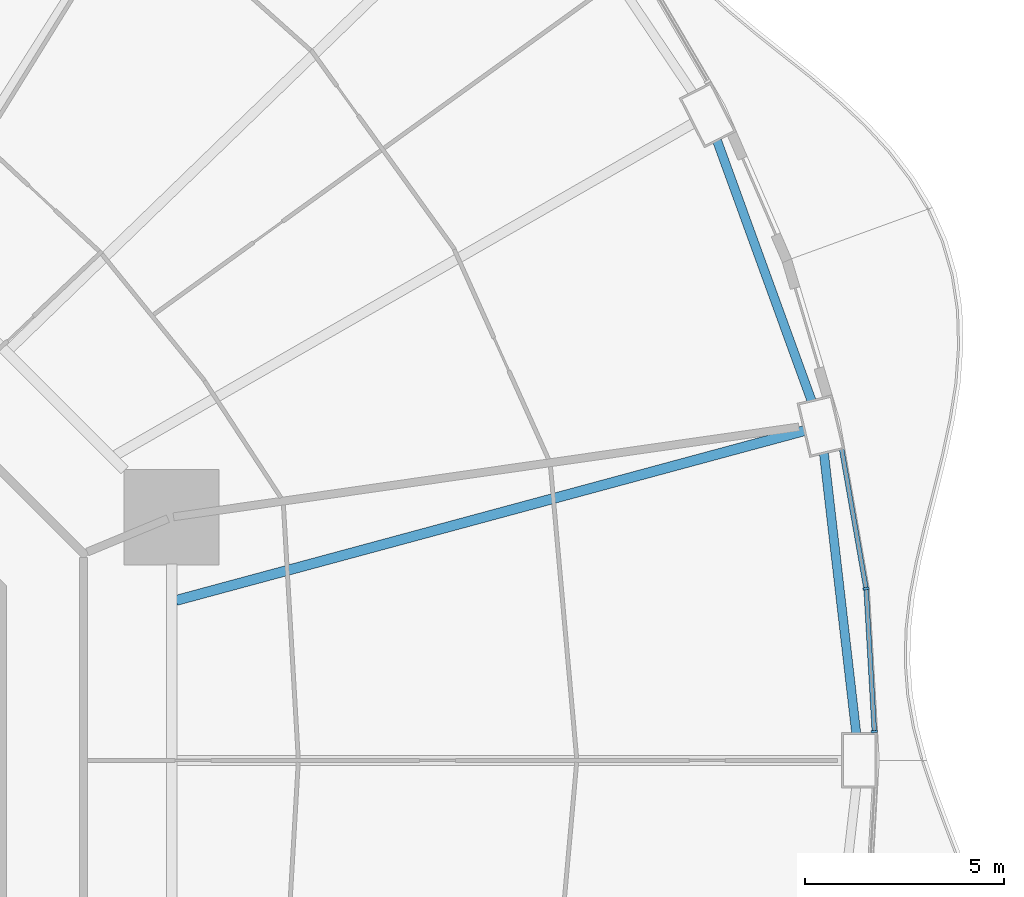
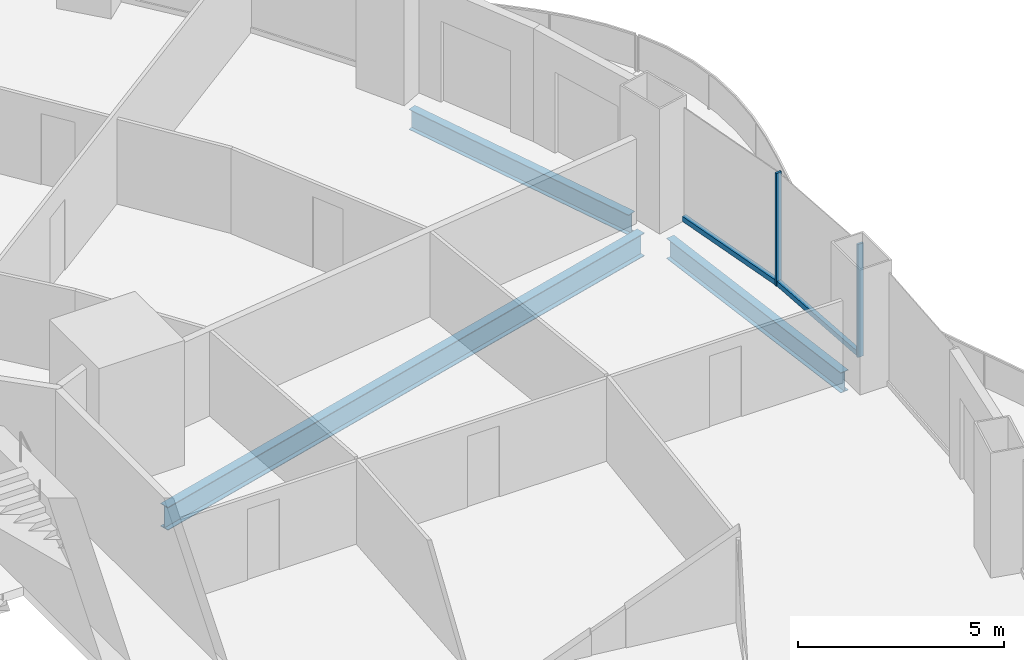
# One storey, part 9 of 22: 4 members, 3 beams, 2 elements without a shape of their own.
"""IFC4 building model written with IfcOpenShell, lengths in metres."""

import ifcopenshell
import ifcopenshell.guid

model = None  # the IFC model being written
_history = None  # IfcOwnerHistory: only IFC2X3 demands one
_inside = {}  # id of a spatial element -> (the spatial element, [elements in it])
_under = {}  # id of a project, library or spatial element -> (it, [spatial elements below it])
_declared = {}  # id of a project -> (the project, [libraries it declares])
_typed = {}  # id of a type object -> (the type object, [elements of that type])
_made_of = {}  # id of a material, layer set ... -> (it, [elements and type objects made of it])


def new_model(schema):
    """Start an empty IFC model of exactly this schema.

    Asked for "IFC4X3", IfcOpenShell would pick the latest addendum, in which some entities
    have other attributes; the version numbers below select the first issue.
    IFC2X3 requires an IfcOwnerHistory on every rooted entity: one is made here for all.
    """
    global model, _history
    if schema == "IFC4X3":
        model = ifcopenshell.file(schema_version=(4, 3, 0, 0))
    else:
        model = ifcopenshell.file(schema=schema)
    _inside.clear()
    _under.clear()
    _declared.clear()
    _typed.clear()
    _made_of.clear()
    _history = None
    if model.schema == "IFC2X3":
        org = make("IfcOrganization", Name="unknown")
        user = make(
            "IfcPersonAndOrganization",
            ThePerson=make("IfcPerson", FamilyName="unknown"),
            TheOrganization=org,
        )
        app = make(
            "IfcApplication",
            ApplicationDeveloper=org,
            Version="unknown",
            ApplicationFullName="unknown",
            ApplicationIdentifier="unknown",
        )
        _history = make(
            "IfcOwnerHistory",
            OwningUser=user,
            OwningApplication=app,
            ChangeAction="ADDED",
            CreationDate=0,
        )
    return model


def make(cls, **values):
    """One entity of the class cls with the attributes given. An attribute that is None is left unset."""
    return model.create_entity(
        cls, **{name: value for name, value in values.items() if value is not None}
    )


def rooted(cls, **values):
    """An entity with a GlobalId (a new one), such as an element, a storey or a relation."""
    return make(cls, GlobalId=ifcopenshell.guid.new(), OwnerHistory=_history, **values)


def si_unit(unit_type, name, prefix=None):
    """IfcSIUnit, for example si_unit("LENGTHUNIT", "METRE", prefix="MILLI")."""
    return make("IfcSIUnit", UnitType=unit_type, Prefix=prefix, Name=name)


def assignment(units):
    """IfcUnitAssignment: the units of a project."""
    return None if units is None else make("IfcUnitAssignment", Units=units)


def point(xyz):
    """IfcCartesianPoint."""
    return None if xyz is None else make("IfcCartesianPoint", Coordinates=xyz)


def direction(xyz):
    """IfcDirection."""
    return None if xyz is None else make("IfcDirection", DirectionRatios=xyz)


def frame(location, z_axis=None, x_axis=None):
    """IfcAxis2Placement3D, a coordinate frame: its origin and axes. An axis left out is left unset."""
    return make(
        "IfcAxis2Placement3D",
        Location=point(location),
        Axis=direction(z_axis),
        RefDirection=direction(x_axis),
    )


def frame_2d(location, x_axis=None):
    """IfcAxis2Placement2D, a coordinate frame in the plane: its origin and x axis."""
    return make(
        "IfcAxis2Placement2D", Location=point(location), RefDirection=direction(x_axis)
    )


def origin():
    """The frame at (0, 0, 0) with its axes left unset."""
    return frame((0.0, 0.0, 0.0))


def origin_2d():
    """The frame at (0, 0) in the plane with its x axis left unset."""
    return frame_2d((0.0, 0.0))


def place(relative_to, where):
    """IfcLocalPlacement: puts the frame where relative to a parent placement (None: the world)."""
    return make(
        "IfcLocalPlacement", PlacementRelTo=relative_to, RelativePlacement=where
    )


def context(
    kind, dimensions, precision=None, world=None, true_north=None, identifier=None
):
    """IfcGeometricRepresentationContext, for example the 3D "Model" context."""
    return make(
        "IfcGeometricRepresentationContext",
        ContextIdentifier=identifier,
        ContextType=kind,
        CoordinateSpaceDimension=dimensions,
        Precision=precision,
        WorldCoordinateSystem=world,
        TrueNorth=true_north,
    )


def subcontext(parent, identifier, kind, view, scale=None):
    """IfcGeometricRepresentationSubContext, for example "Body" below "Model"."""
    return make(
        "IfcGeometricRepresentationSubContext",
        ContextIdentifier=identifier,
        ContextType=kind,
        ParentContext=parent,
        TargetScale=scale,
        TargetView=view,
    )


def project(units=None, contexts=None):
    """IfcProject with its units and contexts."""
    return rooted(
        "IfcProject",
        Name="project",
        RepresentationContexts=contexts,
        UnitsInContext=assignment(units),
    )


def spatial(cls, under=None, at=None, **own):
    """A site, building, storey or space (cls), placed at a placement, below another one or the project."""
    s = rooted(cls, ObjectPlacement=at, **own)
    if under is not None:
        _under.setdefault(under.id(), (under, []))[1].append(s)
    return s


def profile(cls, at=None, kind="AREA", **sizes):
    """A parametric profile (cls). Its sizes go by their IFC names, for example OverallWidth=200.0."""
    return make(cls, ProfileType=kind, Position=at, **sizes)


def rectangle(**sizes):
    """IfcRectangleProfileDef."""
    return profile("IfcRectangleProfileDef", **sizes)


def i_section(**sizes):
    """IfcIShapeProfileDef."""
    return profile("IfcIShapeProfileDef", **sizes)


def extrude(swept, where, along, depth):
    """IfcExtrudedAreaSolid: the profile swept, set in the frame where, extruded along a direction by depth."""
    return make(
        "IfcExtrudedAreaSolid",
        SweptArea=swept,
        Position=where,
        ExtrudedDirection=direction(along),
        Depth=depth,
    )


def shape(context_of_items, identifier, shape_type, items):
    """IfcShapeRepresentation: the items that make up one representation, for example the "Body"."""
    return make(
        "IfcShapeRepresentation",
        ContextOfItems=context_of_items,
        RepresentationIdentifier=identifier,
        RepresentationType=shape_type,
        Items=items,
    )


def material(Name=None, Category=None):
    """IfcMaterial."""
    return make("IfcMaterial", Name=Name, Category=Category)


def layer(
    of_material, thickness, ventilated=None, Name=None, Category=None, Priority=None
):
    """IfcMaterialLayer: one layer of a wall or slab, of a material (None: an air gap)."""
    return make(
        "IfcMaterialLayer",
        Material=of_material,
        LayerThickness=thickness,
        IsVentilated=ventilated,
        Name=Name,
        Category=Category,
        Priority=Priority,
    )


def layer_set(layers, Name=None):
    """IfcMaterialLayerSet."""
    return make("IfcMaterialLayerSet", MaterialLayers=layers, LayerSetName=Name)


def material_profile(
    of_material, cross_section, Name=None, Category=None, Priority=None
):
    """IfcMaterialProfile: a cross section and its material."""
    return make(
        "IfcMaterialProfile",
        Name=Name,
        Material=of_material,
        Profile=cross_section,
        Priority=Priority,
        Category=Category,
    )


def profile_set(profiles, Name=None, composite=None):
    """IfcMaterialProfileSet."""
    return make(
        "IfcMaterialProfileSet",
        Name=Name,
        MaterialProfiles=profiles,
        CompositeProfile=composite,
    )


def made_of(thing, what):
    """Note that an element or type object is made of a material, layer set ...; save() writes the relation."""
    if what is not None:
        _made_of.setdefault(what.id(), (what, []))[1].append(thing)
    return thing


def type_object(cls, material=None, **own):
    """A type object (cls), such as IfcWallType, which elements share."""
    return made_of(rooted(cls, **own), material)


def element(
    cls,
    number,
    at=None,
    inside=None,
    cuts=None,
    type_object=None,
    material=None,
    context=None,
    identifier="Body",
    shape_type=None,
    held_by="IfcProductDefinitionShape",
    body=None,
    shapes=None,
    **own,
):
    """One element of the class cls, such as IfcWall. Its Tag is "e" and its number.

    at: its placement. inside: the storey or other place that contains it. cuts: it is an
    opening in that element (IfcRelVoidsElement). A single representation is given by context,
    identifier, shape_type and body (its items); several are given by shapes. held_by: the class
    of the entity that holds the representations. save() writes the other relations.
    """
    e = rooted(cls, Tag="e%d" % number, ObjectPlacement=at, **own)
    if body is not None:
        shapes = [shape(context, identifier, shape_type, body)]
    if shapes is not None:
        e.Representation = make(held_by, Representations=shapes)
    if inside is not None:
        _inside.setdefault(inside.id(), (inside, []))[1].append(e)
    if cuts is not None:
        rooted(
            "IfcRelVoidsElement", RelatingBuildingElement=cuts, RelatedOpeningElement=e
        )
    if type_object is not None:
        _typed.setdefault(type_object.id(), (type_object, []))[1].append(e)
    return made_of(e, material)


def aggregate(whole, parts):
    """IfcRelAggregates: a whole, such as a stair, and the parts it consists of."""
    return rooted("IfcRelAggregates", RelatingObject=whole, RelatedObjects=parts)


def save(model, path):
    """Write the relations noted so far, then the file.

    IfcRelAggregates (storeys below a building ...), IfcRelContainedInSpatialStructure (elements
    in a storey), IfcRelDefinesByType, IfcRelAssociatesMaterial and IfcRelDeclares: one each for
    every whole, place, type object, material and project.
    """
    for whole, parts in _under.values():
        aggregate(whole, parts)
    for where, things in _inside.values():
        rooted(
            "IfcRelContainedInSpatialStructure",
            RelatedElements=things,
            RelatingStructure=where,
        )
    for kind, things in _typed.values():
        rooted("IfcRelDefinesByType", RelatedObjects=things, RelatingType=kind)
    for what, things in _made_of.values():
        rooted("IfcRelAssociatesMaterial", RelatedObjects=things, RelatingMaterial=what)
    for by, libraries in _declared.values():
        rooted("IfcRelDeclares", RelatingContext=by, RelatedDefinitions=libraries)
    model.write(path)


model = new_model("IFC4")

# Units and contexts
model_context = context("Model", 3, precision=1e-05, world=origin(), true_north=direction((0.0, 1.0)))
body_context = subcontext(model_context, "Body", "Model", "MODEL_VIEW")
ifc_project = project(units=[si_unit("LENGTHUNIT", "METRE"), si_unit("AREAUNIT", "SQUARE_METRE"), si_unit("VOLUMEUNIT", "CUBIC_METRE"), si_unit("PLANEANGLEUNIT", "RADIAN"), si_unit("MASSUNIT", "GRAM", prefix="KILO")], contexts=[model_context])

# Site, building, storey
site_placement = place(None, origin())
site = spatial("IfcSite", under=ifc_project, at=site_placement, CompositionType="ELEMENT")
building_placement = place(site_placement, origin())
building = spatial("IfcBuilding", under=site, at=building_placement, Name="Nagisa Residences", CompositionType="ELEMENT")
storey_placement = place(building_placement, frame((0.0, 0.0, 64.0)))
storey = spatial("IfcBuildingStorey", under=building, at=storey_placement, Name="L15", CompositionType="ELEMENT", Elevation=64.0)

# Curtain wall, member
ifc_material_1 = material(Name="Concrete-coloured aluminium curtain wall system", Category="concrete")
ifc_layer = layer(ifc_material_1, 0.159912109375)
ifc_layer_set = layer_set([ifc_layer], Name="CW1 CURTAIN WALL")
curtain_wall_type = type_object("IfcCurtainWallType", Name="CW1 CURTAIN WALL", PredefinedType="NOTDEFINED", material=ifc_layer_set)
curtain_wall_1_placement = place(storey_placement, origin())
curtain_wall_1 = element("IfcCurtainWall", 1, at=curtain_wall_1_placement, inside=storey, type_object=curtain_wall_type, Name="cw:CW1:L15:00", PredefinedType="NOTDEFINED")
ifc_material_2 = material(Name="Concrete-coloured aluminium", Category="concrete")
ifc_material_profile_1 = material_profile(ifc_material_2, rectangle(XDim=0.159912109375, YDim=0.06005859375, at=origin_2d()), Name="CW1 MULLION 160x60")
ifc_profile_set_1 = profile_set([ifc_material_profile_1], Name="Concrete-coloured aluminium")
member_type_1 = type_object("IfcMemberType", Name="CW1 MULLION 160x60", PredefinedType="MULLION", material=ifc_profile_set_1)
member_1_placement = place(storey_placement, frame((32.478271484375, 0.72412109375, 0.0), z_axis=(0.0, 0.0, 1.0), x_axis=(-0.998345305184, -0.057503492216, 0.0)))
member_1 = element("IfcMember", 2, at=member_1_placement, type_object=member_type_1, Name="CW1 mullion", PredefinedType="MULLION", context=body_context, shape_type="SweptSolid", body=[
    extrude(rectangle(XDim=0.159912109375, YDim=0.06005859375, at=origin_2d()), origin(), (0.0, 0.0, 1.0), 3.35009765625),
])

curtain_wall_2_placement = place(storey_placement, origin())
curtain_wall_2 = element("IfcCurtainWall", 3, at=curtain_wall_2_placement, inside=storey, type_object=curtain_wall_type, Name="cw:CW1:L15:01", PredefinedType="NOTDEFINED")
member_2_placement = place(storey_placement, frame((32.267822265625, 4.3232421875, 0.0), z_axis=(0.0, 0.0, 1.0), x_axis=(-0.985063604377, -0.172190868898, 0.0)))
member_2 = element("IfcMember", 4, at=member_2_placement, type_object=member_type_1, Name="CW1 mullion", PredefinedType="MULLION", context=body_context, shape_type="SweptSolid", body=[
    extrude(rectangle(XDim=0.159912109375, YDim=0.06005859375, at=origin_2d()), origin(), (0.0, 0.0, 1.0), 3.35009765625),
])

# Member
ifc_material_3 = material(Name="Concrete-coloured aluminium", Category="concrete")
ifc_material_profile_2 = material_profile(ifc_material_3, rectangle(XDim=0.1201171875, YDim=0.14990234375, at=origin_2d()), Name="CW1 TRANSOM 120x150")
ifc_profile_set_2 = profile_set([ifc_material_profile_2], Name="Concrete-coloured aluminium")
member_type_2 = type_object("IfcMemberType", Name="CW1 TRANSOM 120x150", PredefinedType="USERDEFINED", material=ifc_profile_set_2)
member_3_placement = place(storey_placement, frame((32.47998046875, 0.6943359375, 0.074951171875), z_axis=(-0.057549926952, 0.998342629515, 0.0), x_axis=(-0.998342629515, -0.057549926952, 0.0)))
member_3 = element("IfcMember", 5, at=member_3_placement, type_object=member_type_2, Name="CW1 transom", ObjectType="TRANSOM", PredefinedType="USERDEFINED", context=body_context, shape_type="SweptSolid", body=[
    extrude(rectangle(XDim=0.1201171875, YDim=0.14990234375, at=origin_2d()), origin(), (0.0, 0.0, 1.0), 3.614501953125),
])

aggregate(curtain_wall_1, [member_1, member_3])

member_4_placement = place(storey_placement, frame((32.273193359375, 4.293701171875, 0.074951171875), z_axis=(-0.172228889385, 0.985056957572, 0.0), x_axis=(-0.985056957572, -0.172228889385, 0.0)))
member_4 = element("IfcMember", 6, at=member_4_placement, type_object=member_type_2, Name="CW1 transom", ObjectType="TRANSOM", PredefinedType="USERDEFINED", context=body_context, shape_type="SweptSolid", body=[
    extrude(rectangle(XDim=0.1201171875, YDim=0.14990234375, at=origin_2d()), origin(), (0.0, 0.0, 1.0), 3.59765625),
])

aggregate(curtain_wall_2, [member_2, member_4])

# Beams
ifc_material_4 = material(Name="Steel ASTM A572 Gr 50", Category="steel")
ifc_material_profile_3 = material_profile(ifc_material_4, i_section(OverallWidth=0.22802734375, OverallDepth=0.60302734375, WebThickness=0.010498046875, FlangeThickness=0.014892578125, at=origin_2d()), Name="W610x101")
ifc_profile_set_3 = profile_set([ifc_material_profile_3], Name="Steel ASTM A572 Gr 50")
beam_type_1 = type_object("IfcBeamType", Name="Perimeter ring beam W610x101", PredefinedType="BEAM", material=ifc_profile_set_3)
beam_1_placement = place(storey_placement, frame((32.021484375, 0.68017578125, -0.5615234375), z_axis=(-0.114673717321, 0.993403210462, 0.0), x_axis=(-0.993403210462, -0.114673717321, 0.0)))
element("IfcBeam", 7, at=beam_1_placement, inside=storey, type_object=beam_type_1, Name="beam:L15:pb01", PredefinedType="BEAM", context=body_context, shape_type="SweptSolid", body=[
    extrude(i_section(OverallWidth=0.22802734375, OverallDepth=0.60302734375, WebThickness=0.010498046875, FlangeThickness=0.014892578125, at=origin_2d()), origin(), (0.0, 0.0, 1.0), 7.09814453125),
])
beam_2_placement = place(storey_placement, frame((30.89501953125, 9.055419921875, -0.5615234375), z_axis=(-0.341411143183, 0.939914055279, 0.0), x_axis=(-0.939914055279, -0.341411143183, 0.0)))
element("IfcBeam", 8, at=beam_2_placement, inside=storey, type_object=beam_type_1, Name="beam:L15:pb02", PredefinedType="BEAM", context=body_context, shape_type="SweptSolid", body=[
    extrude(i_section(OverallWidth=0.22802734375, OverallDepth=0.60302734375, WebThickness=0.010498046875, FlangeThickness=0.014892578125, at=origin_2d()), origin(), (0.0, 0.0, 1.0), 6.96923828125),
])
ifc_material_5 = material(Name="Steel ASTM A572 Gr 50", Category="steel")
ifc_material_profile_4 = material_profile(ifc_material_5, i_section(OverallWidth=0.25390625, OverallDepth=0.68408203125, WebThickness=0.012451171875, FlangeThickness=0.018798828125, at=origin_2d()), Name="W690x140")
ifc_profile_set_4 = profile_set([ifc_material_profile_4], Name="Steel ASTM A572 Gr 50")
beam_type_2 = type_object("IfcBeamType", Name="Radial beam W690x140", PredefinedType="BEAM", material=ifc_profile_set_4)
beam_3_placement = place(storey_placement, frame((30.713623046875, 8.29931640625, -0.60205078125), z_axis=(-0.965375968847, -0.260862490162, 0.0), x_axis=(0.260862490162, -0.965375968847, 0.0)))
element("IfcBeam", 9, at=beam_3_placement, inside=storey, type_object=beam_type_2, Name="beam:L15:rb02", PredefinedType="BEAM", context=body_context, shape_type="SweptSolid", body=[
    extrude(i_section(OverallWidth=0.25390625, OverallDepth=0.68408203125, WebThickness=0.012451171875, FlangeThickness=0.018798828125, at=origin_2d()), origin(), (0.0, 0.0, 1.0), 16.3857421875),
])

save(model, "model.ifc")
